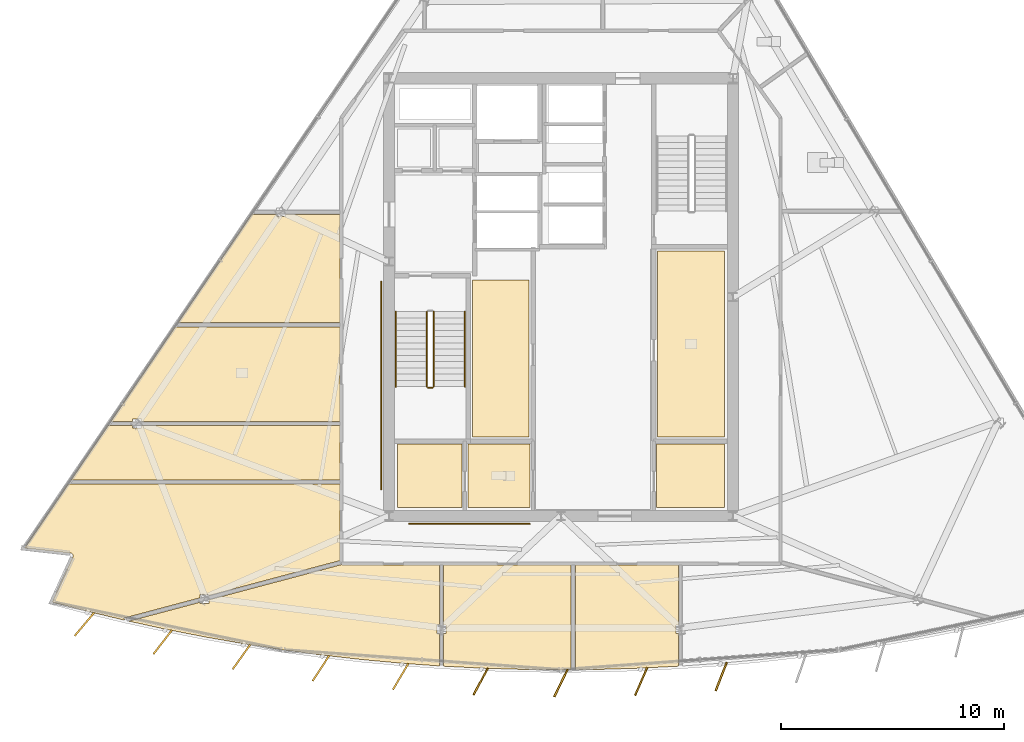
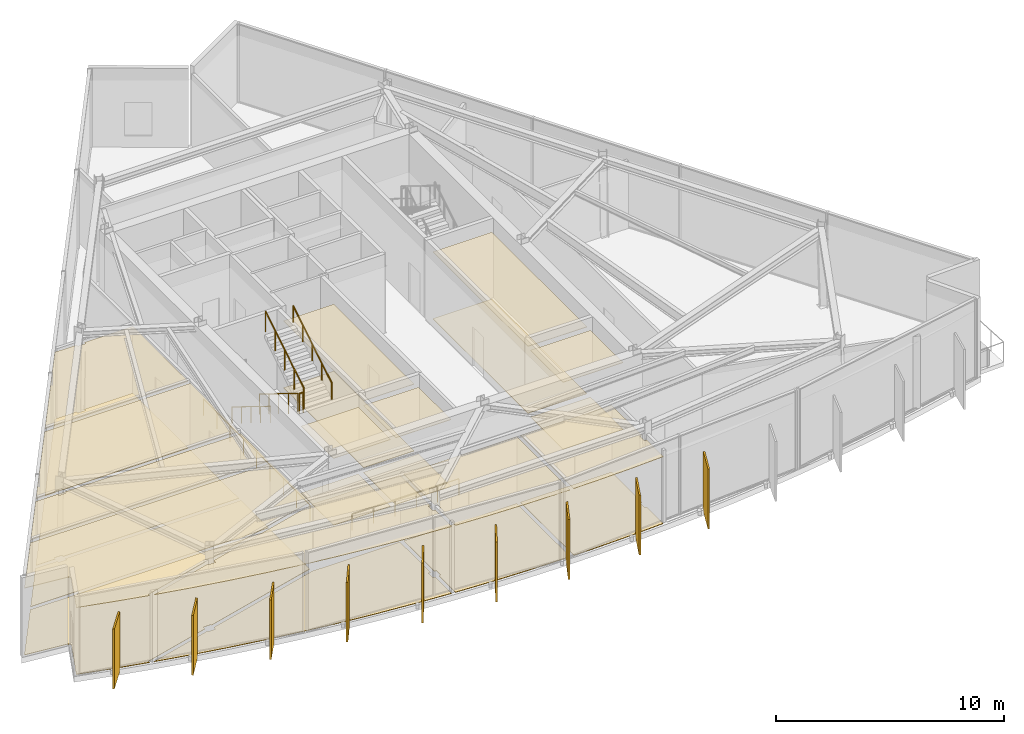
# One storey, part 9 of 12: 24 coverings, 9 shading devices, 7 railings.
"""IFC4 building model written with IfcOpenShell, lengths in metres."""

import ifcopenshell
import ifcopenshell.guid

model = None  # the IFC model being written
_history = None  # IfcOwnerHistory: only IFC2X3 demands one
_inside = {}  # id of a spatial element -> (the spatial element, [elements in it])
_under = {}  # id of a project, library or spatial element -> (it, [spatial elements below it])
_declared = {}  # id of a project -> (the project, [libraries it declares])
_typed = {}  # id of a type object -> (the type object, [elements of that type])
_made_of = {}  # id of a material, layer set ... -> (it, [elements and type objects made of it])


def new_model(schema):
    """Start an empty IFC model of exactly this schema.

    Asked for "IFC4X3", IfcOpenShell would pick the latest addendum, in which some entities
    have other attributes; the version numbers below select the first issue.
    IFC2X3 requires an IfcOwnerHistory on every rooted entity: one is made here for all.
    """
    global model, _history
    if schema == "IFC4X3":
        model = ifcopenshell.file(schema_version=(4, 3, 0, 0))
    else:
        model = ifcopenshell.file(schema=schema)
    _inside.clear()
    _under.clear()
    _declared.clear()
    _typed.clear()
    _made_of.clear()
    _history = None
    if model.schema == "IFC2X3":
        org = make("IfcOrganization", Name="unknown")
        user = make(
            "IfcPersonAndOrganization",
            ThePerson=make("IfcPerson", FamilyName="unknown"),
            TheOrganization=org,
        )
        app = make(
            "IfcApplication",
            ApplicationDeveloper=org,
            Version="unknown",
            ApplicationFullName="unknown",
            ApplicationIdentifier="unknown",
        )
        _history = make(
            "IfcOwnerHistory",
            OwningUser=user,
            OwningApplication=app,
            ChangeAction="ADDED",
            CreationDate=0,
        )
    return model


def make(cls, **values):
    """One entity of the class cls with the attributes given. An attribute that is None is left unset."""
    return model.create_entity(
        cls, **{name: value for name, value in values.items() if value is not None}
    )


def rooted(cls, **values):
    """An entity with a GlobalId (a new one), such as an element, a storey or a relation."""
    return make(cls, GlobalId=ifcopenshell.guid.new(), OwnerHistory=_history, **values)


def si_unit(unit_type, name, prefix=None):
    """IfcSIUnit, for example si_unit("LENGTHUNIT", "METRE", prefix="MILLI")."""
    return make("IfcSIUnit", UnitType=unit_type, Prefix=prefix, Name=name)


def assignment(units):
    """IfcUnitAssignment: the units of a project."""
    return None if units is None else make("IfcUnitAssignment", Units=units)


def point(xyz):
    """IfcCartesianPoint."""
    return None if xyz is None else make("IfcCartesianPoint", Coordinates=xyz)


def direction(xyz):
    """IfcDirection."""
    return None if xyz is None else make("IfcDirection", DirectionRatios=xyz)


def frame(location, z_axis=None, x_axis=None):
    """IfcAxis2Placement3D, a coordinate frame: its origin and axes. An axis left out is left unset."""
    return make(
        "IfcAxis2Placement3D",
        Location=point(location),
        Axis=direction(z_axis),
        RefDirection=direction(x_axis),
    )


def frame_2d(location, x_axis=None):
    """IfcAxis2Placement2D, a coordinate frame in the plane: its origin and x axis."""
    return make(
        "IfcAxis2Placement2D", Location=point(location), RefDirection=direction(x_axis)
    )


def origin():
    """The frame at (0, 0, 0) with its axes left unset."""
    return frame((0.0, 0.0, 0.0))


def origin_2d():
    """The frame at (0, 0) in the plane with its x axis left unset."""
    return frame_2d((0.0, 0.0))


def place(relative_to, where):
    """IfcLocalPlacement: puts the frame where relative to a parent placement (None: the world)."""
    return make(
        "IfcLocalPlacement", PlacementRelTo=relative_to, RelativePlacement=where
    )


def context(
    kind, dimensions, precision=None, world=None, true_north=None, identifier=None
):
    """IfcGeometricRepresentationContext, for example the 3D "Model" context."""
    return make(
        "IfcGeometricRepresentationContext",
        ContextIdentifier=identifier,
        ContextType=kind,
        CoordinateSpaceDimension=dimensions,
        Precision=precision,
        WorldCoordinateSystem=world,
        TrueNorth=true_north,
    )


def subcontext(parent, identifier, kind, view, scale=None):
    """IfcGeometricRepresentationSubContext, for example "Body" below "Model"."""
    return make(
        "IfcGeometricRepresentationSubContext",
        ContextIdentifier=identifier,
        ContextType=kind,
        ParentContext=parent,
        TargetScale=scale,
        TargetView=view,
    )


def project(units=None, contexts=None):
    """IfcProject with its units and contexts."""
    return rooted(
        "IfcProject",
        Name="project",
        RepresentationContexts=contexts,
        UnitsInContext=assignment(units),
    )


def spatial(cls, under=None, at=None, **own):
    """A site, building, storey or space (cls), placed at a placement, below another one or the project."""
    s = rooted(cls, ObjectPlacement=at, **own)
    if under is not None:
        _under.setdefault(under.id(), (under, []))[1].append(s)
    return s


def polyline(points):
    """IfcPolyline through the points."""
    return make("IfcPolyline", Points=[point(p) for p in points])


def profile(cls, at=None, kind="AREA", **sizes):
    """A parametric profile (cls). Its sizes go by their IFC names, for example OverallWidth=200.0."""
    return make(cls, ProfileType=kind, Position=at, **sizes)


def rectangle(**sizes):
    """IfcRectangleProfileDef."""
    return profile("IfcRectangleProfileDef", **sizes)


def circle(**sizes):
    """IfcCircleProfileDef."""
    return profile("IfcCircleProfileDef", **sizes)


def outline(outer, holes=None, kind="AREA"):
    """IfcArbitraryClosedProfileDef: a profile drawn as a closed curve; with holes, ...WithVoids."""
    if holes is None:
        return make("IfcArbitraryClosedProfileDef", ProfileType=kind, OuterCurve=outer)
    return make(
        "IfcArbitraryProfileDefWithVoids",
        ProfileType=kind,
        OuterCurve=outer,
        InnerCurves=holes,
    )


def extrude(swept, where, along, depth):
    """IfcExtrudedAreaSolid: the profile swept, set in the frame where, extruded along a direction by depth."""
    return make(
        "IfcExtrudedAreaSolid",
        SweptArea=swept,
        Position=where,
        ExtrudedDirection=direction(along),
        Depth=depth,
    )


def shape(context_of_items, identifier, shape_type, items):
    """IfcShapeRepresentation: the items that make up one representation, for example the "Body"."""
    return make(
        "IfcShapeRepresentation",
        ContextOfItems=context_of_items,
        RepresentationIdentifier=identifier,
        RepresentationType=shape_type,
        Items=items,
    )


def material(Name=None, Category=None):
    """IfcMaterial."""
    return make("IfcMaterial", Name=Name, Category=Category)


def layer(
    of_material, thickness, ventilated=None, Name=None, Category=None, Priority=None
):
    """IfcMaterialLayer: one layer of a wall or slab, of a material (None: an air gap)."""
    return make(
        "IfcMaterialLayer",
        Material=of_material,
        LayerThickness=thickness,
        IsVentilated=ventilated,
        Name=Name,
        Category=Category,
        Priority=Priority,
    )


def layer_set(layers, Name=None):
    """IfcMaterialLayerSet."""
    return make("IfcMaterialLayerSet", MaterialLayers=layers, LayerSetName=Name)


def made_of(thing, what):
    """Note that an element or type object is made of a material, layer set ...; save() writes the relation."""
    if what is not None:
        _made_of.setdefault(what.id(), (what, []))[1].append(thing)
    return thing


def type_object(cls, material=None, **own):
    """A type object (cls), such as IfcWallType, which elements share."""
    return made_of(rooted(cls, **own), material)


def element(
    cls,
    number,
    at=None,
    inside=None,
    cuts=None,
    type_object=None,
    material=None,
    context=None,
    identifier="Body",
    shape_type=None,
    held_by="IfcProductDefinitionShape",
    body=None,
    shapes=None,
    **own,
):
    """One element of the class cls, such as IfcWall. Its Tag is "e" and its number.

    at: its placement. inside: the storey or other place that contains it. cuts: it is an
    opening in that element (IfcRelVoidsElement). A single representation is given by context,
    identifier, shape_type and body (its items); several are given by shapes. held_by: the class
    of the entity that holds the representations. save() writes the other relations.
    """
    e = rooted(cls, Tag="e%d" % number, ObjectPlacement=at, **own)
    if body is not None:
        shapes = [shape(context, identifier, shape_type, body)]
    if shapes is not None:
        e.Representation = make(held_by, Representations=shapes)
    if inside is not None:
        _inside.setdefault(inside.id(), (inside, []))[1].append(e)
    if cuts is not None:
        rooted(
            "IfcRelVoidsElement", RelatingBuildingElement=cuts, RelatedOpeningElement=e
        )
    if type_object is not None:
        _typed.setdefault(type_object.id(), (type_object, []))[1].append(e)
    return made_of(e, material)


def aggregate(whole, parts):
    """IfcRelAggregates: a whole, such as a stair, and the parts it consists of."""
    return rooted("IfcRelAggregates", RelatingObject=whole, RelatedObjects=parts)


def save(model, path):
    """Write the relations noted so far, then the file.

    IfcRelAggregates (storeys below a building ...), IfcRelContainedInSpatialStructure (elements
    in a storey), IfcRelDefinesByType, IfcRelAssociatesMaterial and IfcRelDeclares: one each for
    every whole, place, type object, material and project.
    """
    for whole, parts in _under.values():
        aggregate(whole, parts)
    for where, things in _inside.values():
        rooted(
            "IfcRelContainedInSpatialStructure",
            RelatedElements=things,
            RelatingStructure=where,
        )
    for kind, things in _typed.values():
        rooted("IfcRelDefinesByType", RelatedObjects=things, RelatingType=kind)
    for what, things in _made_of.values():
        rooted("IfcRelAssociatesMaterial", RelatedObjects=things, RelatingMaterial=what)
    for by, libraries in _declared.values():
        rooted("IfcRelDeclares", RelatingContext=by, RelatedDefinitions=libraries)
    model.write(path)


model = new_model("IFC4")

# Units and contexts
model_context = context("Model", 3, precision=1e-05, world=origin(), true_north=direction((0.0, 1.0)))
body_context = subcontext(model_context, "Body", "Model", "MODEL_VIEW")
ifc_project = project(units=[si_unit("LENGTHUNIT", "METRE"), si_unit("AREAUNIT", "SQUARE_METRE"), si_unit("VOLUMEUNIT", "CUBIC_METRE"), si_unit("PLANEANGLEUNIT", "RADIAN"), si_unit("MASSUNIT", "GRAM", prefix="KILO")], contexts=[model_context])

# Site, building, storey
site_placement = place(None, origin())
site = spatial("IfcSite", under=ifc_project, at=site_placement, CompositionType="ELEMENT")
building_placement = place(site_placement, origin())
building = spatial("IfcBuilding", under=site, at=building_placement, Name="Savorim Split Tower", CompositionType="ELEMENT")
storey_placement = place(building_placement, frame((0.0, 0.0, 246.300048828125)))
storey = spatial("IfcBuildingStorey", under=building, at=storey_placement, Name="L65", CompositionType="ELEMENT", Elevation=246.300048828125)

# Coverings
ifc_material_1 = material(Name="Mineral Fibre Acoustic Ceiling")
ifc_layer_1 = layer(ifc_material_1, 0.02490234375)
ifc_layer_set_1 = layer_set([ifc_layer_1], Name="COV-CEIL-25")
covering_type_1 = type_object("IfcCoveringType", Name="COV-CEIL-25", PredefinedType="CEILING", material=ifc_layer_set_1)
covering_1_placement = place(storey_placement, frame((0.0, 0.0, 3.570068359375)))
element("IfcCovering", 1, at=covering_1_placement, inside=storey, type_object=covering_type_1, Name="L65 Community Laundry Room Acoustic Ceiling", PredefinedType="CEILING", context=body_context, shape_type="SweptSolid", body=[
    extrude(outline(polyline([(4.330078125, 2.469970703125), (4.330078125, -5.8701171875), (7.320068359375, -5.8701171875), (7.320068359375, 2.469970703125), (4.330078125, 2.469970703125)])), origin(), (0.0, 0.0, 1.0), 0.02490234375),
])
covering_2_placement = place(storey_placement, frame((0.0, 0.0, 3.570068359375)))
element("IfcCovering", 2, at=covering_2_placement, inside=storey, type_object=covering_type_1, Name="L65 Quiet Study Room Acoustic Ceiling", PredefinedType="CEILING", context=body_context, shape_type="SweptSolid", body=[
    extrude(outline(polyline([(-3.969970703125, 1.169921875), (-3.969970703125, -5.8701171875), (-1.429931640625, -5.8701171875), (-1.429931640625, 1.169921875), (-3.969970703125, 1.169921875)])), origin(), (0.0, 0.0, 1.0), 0.02490234375),
])
covering_3_placement = place(storey_placement, frame((0.0, 0.0, 3.570068359375)))
element("IfcCovering", 3, at=covering_3_placement, inside=storey, type_object=covering_type_1, Name="L65 Housekeeping Store Acoustic Ceiling", PredefinedType="CEILING", context=body_context, shape_type="SweptSolid", body=[
    extrude(outline(polyline([(-7.320068359375, -6.179931640625), (-7.320068359375, -9.02001953125), (-4.429931640625, -9.02001953125), (-4.429931640625, -6.179931640625), (-7.320068359375, -6.179931640625)])), origin(), (0.0, 0.0, 1.0), 0.02490234375),
])
covering_4_placement = place(storey_placement, frame((0.0, 0.0, 3.570068359375)))
element("IfcCovering", 4, at=covering_4_placement, inside=storey, type_object=covering_type_1, Name="L65 Accessible WC Acoustic Ceiling", PredefinedType="CEILING", context=body_context, shape_type="SweptSolid", body=[
    extrude(outline(polyline([(-4.169921875, -6.179931640625), (-4.169921875, -9.02001953125), (-1.3798828125, -9.02001953125), (-1.3798828125, -6.179931640625), (-4.169921875, -6.179931640625)])), origin(), (0.0, 0.0, 1.0), 0.02490234375),
])
covering_5_placement = place(storey_placement, frame((0.0, 0.0, 3.570068359375)))
element("IfcCovering", 5, at=covering_5_placement, inside=storey, type_object=covering_type_1, Name="L65 Core IT Server Room Acoustic Ceiling", PredefinedType="CEILING", context=body_context, shape_type="SweptSolid", body=[
    extrude(outline(polyline([(4.280029296875, -6.179931640625), (4.280029296875, -9.02001953125), (7.320068359375, -9.02001953125), (7.320068359375, -6.179931640625), (4.280029296875, -6.179931640625)])), origin(), (0.0, 0.0, 1.0), 0.02490234375),
])
covering_6_placement = place(storey_placement, frame((0.0, 0.0, 3.570068359375)))
element("IfcCovering", 6, at=covering_6_placement, inside=storey, type_object=covering_type_1, Name="L65 Communal Kitchen Acoustic Ceiling", PredefinedType="CEILING", context=body_context, shape_type="SweptSolid", body=[
    extrude(outline(polyline([(-18.778564453125, -5.065185546875), (-18.778564453125, -5.166015625), (-9.889892578125, -5.166015625), (-9.889892578125, -0.926513671875), (-17.271240234375, -0.9267578125), (-20.1552734375, -5.166015625), (-19.172607421875, -5.166015625), (-19.172607421875, -5.065185546875), (-18.778564453125, -5.065185546875)])), origin(), (0.0, 0.0, 1.0), 0.02490234375),
])
covering_7_placement = place(storey_placement, frame((0.0, 0.0, 3.570068359375)))
element("IfcCovering", 7, at=covering_7_placement, inside=storey, type_object=covering_type_1, Name="L65 Quiet Study Room Acoustic Ceiling", PredefinedType="CEILING", context=body_context, shape_type="SweptSolid", body=[
    extrude(outline(polyline([(-20.159423828125, -5.356201171875), (-20.25439453125, -5.356201171875), (-20.25439453125, -5.311767578125), (-21.932373046875, -7.7783203125), (-9.889892578125, -7.7783203125), (-9.889892578125, -5.356201171875), (-18.778564453125, -5.356201171875), (-18.778564453125, -5.45703125), (-19.172607421875, -5.45703125), (-19.172607421875, -5.356201171875), (-20.159423828125, -5.356201171875)])), origin(), (0.0, 0.0, 1.0), 0.02490234375),
])
covering_8_placement = place(storey_placement, frame((0.0, 0.0, 3.570068359375)))
element("IfcCovering", 8, at=covering_8_placement, inside=storey, type_object=covering_type_1, Name="L65 Co-Working Commons Acoustic Ceiling", PredefinedType="CEILING", context=body_context, shape_type="SweptSolid", body=[
    extrude(outline(polyline([(-21.83837890625, -11.18408203125), (-21.839111328125, -11.196044921875), (-21.84130859375, -11.2080078125), (-21.8447265625, -11.21923828125), (-21.84912109375, -11.23046875), (-22.7783203125, -13.2529296875), (-21.18994140625, -13.668212890625), (-19.535400390625, -14.065185546875), (-19.561279296875, -13.968017578125), (-16.16162109375, -13.06298828125), (-16.16162109375, -12.9130859375), (-15.767578125, -12.9130859375), (-15.767578125, -12.958251953125), (-9.908203125, -11.398681640625), (-9.889892578125, -11.39404296875), (-9.889892578125, -7.96826171875), (-22.0615234375, -7.96826171875), (-24.0087890625, -10.83056640625), (-21.94482421875, -11.06103515625), (-21.93310546875, -11.06298828125), (-21.921630859375, -11.06591796875), (-21.910400390625, -11.0703125), (-21.899658203125, -11.075439453125), (-21.8896484375, -11.081787109375), (-21.880126953125, -11.089111328125), (-21.87158203125, -11.097412109375), (-21.86376953125, -11.1064453125), (-21.856689453125, -11.1162109375), (-21.850830078125, -11.12646484375), (-21.84619140625, -11.137451171875), (-21.84228515625, -11.148681640625), (-21.83984375, -11.160400390625), (-21.83837890625, -11.17236328125), (-21.83837890625, -11.18408203125)])), origin(), (0.0, 0.0, 1.0), 0.02490234375),
])
covering_9_placement = place(storey_placement, frame((0.0, 0.0, 3.570068359375)))
element("IfcCovering", 9, at=covering_9_placement, inside=storey, type_object=covering_type_1, Name="L65 Communal Lounge Acoustic Ceiling", PredefinedType="CEILING", context=body_context, shape_type="SweptSolid", body=[
    extrude(outline(polyline([(-12.443359375, -15.390380859375), (-10.67529296875, -15.626953125), (-8.90283203125, -15.827392578125), (-7.126953125, -15.991455078125), (-5.445556640625, -16.112060546875), (-5.445556640625, -14.667724609375), (-5.547607421875, -14.667724609375), (-5.547607421875, -14.275634765625), (-5.445556640625, -14.275634765625), (-5.445556640625, -11.590087890625), (-9.75, -11.590087890625), (-9.763671875, -11.58935546875), (-9.77734375, -11.58740234375), (-9.79052734375, -11.583984375), (-9.8037109375, -11.579345703125), (-9.81591796875, -11.573486328125), (-9.819091796875, -11.57177734375), (-15.767578125, -13.15478515625), (-15.767578125, -13.304931640625), (-16.16162109375, -13.304931640625), (-16.16162109375, -13.259765625), (-19.347900390625, -14.107666015625), (-17.712890625, -14.464599609375), (-15.962646484375, -14.80908203125), (-14.2060546875, -15.117919921875), (-12.443359375, -15.390380859375)])), origin(), (0.0, 0.0, 1.0), 0.02490234375),
])
covering_10_placement = place(storey_placement, frame((0.0, 0.0, 3.570068359375)))
element("IfcCovering", 10, at=covering_10_placement, inside=storey, type_object=covering_type_1, Name="L65 Co-Working Commons Acoustic Ceiling", PredefinedType="CEILING", context=body_context, shape_type="SweptSolid", body=[
    extrude(outline(polyline([(-3.56640625, -16.210205078125), (-1.783447265625, -16.264892578125), (0.0, -16.283203125), (0.455078125, -16.278564453125), (0.455078125, -11.590087890625), (-5.255615234375, -11.590087890625), (-5.255615234375, -14.275634765625), (-5.153564453125, -14.275634765625), (-5.153564453125, -14.667724609375), (-5.255615234375, -14.667724609375), (-5.255615234375, -16.068603515625), (-5.255615234375, -16.123779296875), (-3.56640625, -16.210205078125)])), origin(), (0.0, 0.0, 1.0), 0.02490234375),
])
covering_11_placement = place(storey_placement, frame((0.0, 0.0, 3.570068359375)))
element("IfcCovering", 11, at=covering_11_placement, inside=storey, type_object=covering_type_1, Name="L65 Sky Lobby Acoustic Ceiling", PredefinedType="CEILING", context=body_context, shape_type="SweptSolid", body=[
    extrude(outline(polyline([(0.64501953125, -11.590087890625), (0.64501953125, -16.276611328125), (1.783447265625, -16.264892578125), (3.56640625, -16.210205078125), (5.255615234375, -16.123779296875), (5.255615234375, -14.667724609375), (5.153564453125, -14.667724609375), (5.153564453125, -14.275634765625), (5.255615234375, -14.275634765625), (5.255615234375, -11.590087890625), (0.64501953125, -11.590087890625)])), origin(), (0.0, 0.0, 1.0), 0.02490234375),
])
covering_12_placement = place(storey_placement, frame((0.0, 0.0, 3.570068359375)))
element("IfcCovering", 12, at=covering_12_placement, inside=storey, type_object=covering_type_1, Name="L65 Quiet Study Room Acoustic Ceiling", PredefinedType="CEILING", context=body_context, shape_type="SweptSolid", body=[
    extrude(outline(polyline([(-12.73779296875, 4.102783203125), (-13.724609375, 4.102783203125), (-13.819580078125, 4.102783203125), (-13.819580078125, 4.14697265625), (-17.14208984375, -0.73681640625), (-9.889892578125, -0.736572265625), (-9.889892578125, 4.102783203125), (-12.343994140625, 4.102783203125), (-12.343994140625, 4.001708984375), (-12.73779296875, 4.001708984375), (-12.73779296875, 4.102783203125)])), origin(), (0.0, 0.0, 1.0), 0.02490234375),
])
ifc_material_2 = material(Name="Porcelain Stoneware Flooring", Category="masonry")
ifc_layer_2 = layer(ifc_material_2, 0.02001953125)
ifc_layer_set_2 = layer_set([ifc_layer_2], Name="COV-FLOR-20")
covering_type_2 = type_object("IfcCoveringType", Name="COV-FLOR-20", PredefinedType="FLOORING", material=ifc_layer_set_2)
covering_13_placement = place(storey_placement, origin())
element("IfcCovering", 13, at=covering_13_placement, inside=storey, type_object=covering_type_2, Name="L65 Community Laundry Room Porcelain Flooring", PredefinedType="FLOORING", context=body_context, shape_type="SweptSolid", body=[
    extrude(outline(polyline([(4.330078125, 2.469970703125), (4.330078125, -5.8701171875), (7.320068359375, -5.8701171875), (7.320068359375, 2.469970703125), (4.330078125, 2.469970703125)])), origin(), (0.0, 0.0, 1.0), 0.02001953125),
])
covering_14_placement = place(storey_placement, origin())
element("IfcCovering", 14, at=covering_14_placement, inside=storey, type_object=covering_type_2, Name="L65 Quiet Study Room Porcelain Flooring", PredefinedType="FLOORING", context=body_context, shape_type="SweptSolid", body=[
    extrude(outline(polyline([(-3.969970703125, 1.169921875), (-3.969970703125, -5.8701171875), (-1.429931640625, -5.8701171875), (-1.429931640625, 1.169921875), (-3.969970703125, 1.169921875)])), origin(), (0.0, 0.0, 1.0), 0.02001953125),
])
covering_15_placement = place(storey_placement, origin())
element("IfcCovering", 15, at=covering_15_placement, inside=storey, type_object=covering_type_2, Name="L65 Housekeeping Store Porcelain Flooring", PredefinedType="FLOORING", context=body_context, shape_type="SweptSolid", body=[
    extrude(outline(polyline([(-7.320068359375, -6.179931640625), (-7.320068359375, -9.02001953125), (-4.429931640625, -9.02001953125), (-4.429931640625, -6.179931640625), (-7.320068359375, -6.179931640625)])), origin(), (0.0, 0.0, 1.0), 0.02001953125),
])
covering_16_placement = place(storey_placement, origin())
element("IfcCovering", 16, at=covering_16_placement, inside=storey, type_object=covering_type_2, Name="L65 Accessible WC Porcelain Flooring", PredefinedType="FLOORING", context=body_context, shape_type="SweptSolid", body=[
    extrude(outline(polyline([(-4.169921875, -6.179931640625), (-4.169921875, -9.02001953125), (-1.3798828125, -9.02001953125), (-1.3798828125, -6.179931640625), (-4.169921875, -6.179931640625)])), origin(), (0.0, 0.0, 1.0), 0.02001953125),
])
covering_17_placement = place(storey_placement, origin())
element("IfcCovering", 17, at=covering_17_placement, inside=storey, type_object=covering_type_2, Name="L65 Core IT Server Room Porcelain Flooring", PredefinedType="FLOORING", context=body_context, shape_type="SweptSolid", body=[
    extrude(outline(polyline([(4.280029296875, -6.179931640625), (4.280029296875, -9.02001953125), (7.320068359375, -9.02001953125), (7.320068359375, -6.179931640625), (4.280029296875, -6.179931640625)])), origin(), (0.0, 0.0, 1.0), 0.02001953125),
])
covering_18_placement = place(storey_placement, origin())
element("IfcCovering", 18, at=covering_18_placement, inside=storey, type_object=covering_type_2, Name="L65 Communal Kitchen Porcelain Flooring", PredefinedType="FLOORING", context=body_context, shape_type="SweptSolid", body=[
    extrude(outline(polyline([(-18.778564453125, -5.065185546875), (-18.778564453125, -5.166015625), (-9.889892578125, -5.166015625), (-9.889892578125, -0.926513671875), (-17.271240234375, -0.9267578125), (-20.1552734375, -5.166015625), (-19.172607421875, -5.166015625), (-19.172607421875, -5.065185546875), (-18.778564453125, -5.065185546875)])), origin(), (0.0, 0.0, 1.0), 0.02001953125),
])
covering_19_placement = place(storey_placement, origin())
element("IfcCovering", 19, at=covering_19_placement, inside=storey, type_object=covering_type_2, Name="L65 Quiet Study Room Porcelain Flooring", PredefinedType="FLOORING", context=body_context, shape_type="SweptSolid", body=[
    extrude(outline(polyline([(-20.159423828125, -5.356201171875), (-20.25439453125, -5.356201171875), (-20.25439453125, -5.311767578125), (-21.932373046875, -7.7783203125), (-9.889892578125, -7.7783203125), (-9.889892578125, -5.356201171875), (-18.778564453125, -5.356201171875), (-18.778564453125, -5.45703125), (-19.172607421875, -5.45703125), (-19.172607421875, -5.356201171875), (-20.159423828125, -5.356201171875)])), origin(), (0.0, 0.0, 1.0), 0.02001953125),
])
covering_20_placement = place(storey_placement, origin())
element("IfcCovering", 20, at=covering_20_placement, inside=storey, type_object=covering_type_2, Name="L65 Co-Working Commons Porcelain Flooring", PredefinedType="FLOORING", context=body_context, shape_type="SweptSolid", body=[
    extrude(outline(polyline([(-21.83837890625, -11.18408203125), (-21.839111328125, -11.196044921875), (-21.84130859375, -11.2080078125), (-21.8447265625, -11.21923828125), (-21.84912109375, -11.23046875), (-22.7783203125, -13.2529296875), (-21.18994140625, -13.668212890625), (-19.535400390625, -14.065185546875), (-19.561279296875, -13.968017578125), (-16.16162109375, -13.06298828125), (-16.16162109375, -12.9130859375), (-15.767578125, -12.9130859375), (-15.767578125, -12.958251953125), (-9.908203125, -11.398681640625), (-9.889892578125, -11.39404296875), (-9.889892578125, -7.96826171875), (-22.0615234375, -7.96826171875), (-24.0087890625, -10.83056640625), (-21.94482421875, -11.06103515625), (-21.93310546875, -11.06298828125), (-21.921630859375, -11.06591796875), (-21.910400390625, -11.0703125), (-21.899658203125, -11.075439453125), (-21.8896484375, -11.081787109375), (-21.880126953125, -11.089111328125), (-21.87158203125, -11.097412109375), (-21.86376953125, -11.1064453125), (-21.856689453125, -11.1162109375), (-21.850830078125, -11.12646484375), (-21.84619140625, -11.137451171875), (-21.84228515625, -11.148681640625), (-21.83984375, -11.160400390625), (-21.83837890625, -11.17236328125), (-21.83837890625, -11.18408203125)])), origin(), (0.0, 0.0, 1.0), 0.02001953125),
])
covering_21_placement = place(storey_placement, origin())
element("IfcCovering", 21, at=covering_21_placement, inside=storey, type_object=covering_type_2, Name="L65 Communal Lounge Porcelain Flooring", PredefinedType="FLOORING", context=body_context, shape_type="SweptSolid", body=[
    extrude(outline(polyline([(-12.443359375, -15.390380859375), (-10.67529296875, -15.626953125), (-8.90283203125, -15.827392578125), (-7.126953125, -15.991455078125), (-5.445556640625, -16.112060546875), (-5.445556640625, -14.667724609375), (-5.547607421875, -14.667724609375), (-5.547607421875, -14.275634765625), (-5.445556640625, -14.275634765625), (-5.445556640625, -11.590087890625), (-9.75, -11.590087890625), (-9.763671875, -11.58935546875), (-9.77734375, -11.58740234375), (-9.79052734375, -11.583984375), (-9.8037109375, -11.579345703125), (-9.81591796875, -11.573486328125), (-9.819091796875, -11.57177734375), (-15.767578125, -13.15478515625), (-15.767578125, -13.304931640625), (-16.16162109375, -13.304931640625), (-16.16162109375, -13.259765625), (-19.347900390625, -14.107666015625), (-17.712890625, -14.464599609375), (-15.962646484375, -14.80908203125), (-14.2060546875, -15.117919921875), (-12.443359375, -15.390380859375)])), origin(), (0.0, 0.0, 1.0), 0.02001953125),
])
covering_22_placement = place(storey_placement, origin())
element("IfcCovering", 22, at=covering_22_placement, inside=storey, type_object=covering_type_2, Name="L65 Co-Working Commons Porcelain Flooring", PredefinedType="FLOORING", context=body_context, shape_type="SweptSolid", body=[
    extrude(outline(polyline([(-3.56640625, -16.210205078125), (-1.783447265625, -16.264892578125), (0.0, -16.283203125), (0.455078125, -16.278564453125), (0.455078125, -11.590087890625), (-5.255615234375, -11.590087890625), (-5.255615234375, -14.275634765625), (-5.153564453125, -14.275634765625), (-5.153564453125, -14.667724609375), (-5.255615234375, -14.667724609375), (-5.255615234375, -16.068603515625), (-5.255615234375, -16.123779296875), (-3.56640625, -16.210205078125)])), origin(), (0.0, 0.0, 1.0), 0.02001953125),
])
covering_23_placement = place(storey_placement, origin())
element("IfcCovering", 23, at=covering_23_placement, inside=storey, type_object=covering_type_2, Name="L65 Sky Lobby Porcelain Flooring", PredefinedType="FLOORING", context=body_context, shape_type="SweptSolid", body=[
    extrude(outline(polyline([(0.64501953125, -11.590087890625), (0.64501953125, -16.276611328125), (1.783447265625, -16.264892578125), (3.56640625, -16.210205078125), (5.255615234375, -16.123779296875), (5.255615234375, -14.667724609375), (5.153564453125, -14.667724609375), (5.153564453125, -14.275634765625), (5.255615234375, -14.275634765625), (5.255615234375, -11.590087890625), (0.64501953125, -11.590087890625)])), origin(), (0.0, 0.0, 1.0), 0.02001953125),
])
covering_24_placement = place(storey_placement, origin())
element("IfcCovering", 24, at=covering_24_placement, inside=storey, type_object=covering_type_2, Name="L65 Quiet Study Room Porcelain Flooring", PredefinedType="FLOORING", context=body_context, shape_type="SweptSolid", body=[
    extrude(outline(polyline([(-12.73779296875, 4.102783203125), (-13.724609375, 4.102783203125), (-13.819580078125, 4.102783203125), (-13.819580078125, 4.14697265625), (-17.14208984375, -0.73681640625), (-9.889892578125, -0.736572265625), (-9.889892578125, 4.102783203125), (-12.343994140625, 4.102783203125), (-12.343994140625, 4.001708984375), (-12.73779296875, 4.001708984375), (-12.73779296875, 4.102783203125)])), origin(), (0.0, 0.0, 1.0), 0.02001953125),
])

# Railings
ifc_material_3 = material(Name="Galvanised Painted Steel Balustrade", Category="steel")
railing_type_1 = type_object("IfcRailingType", Name="RLG-HR-900", PredefinedType="HANDRAIL", material=ifc_material_3)
railing_1_placement = place(storey_placement, frame((-7.39990234375, -0.25, 0.173095703125)))
element("IfcRailing", 25, at=railing_1_placement, inside=storey, type_object=railing_type_1, Name="L65 ST-1 stair handrail 1", PredefinedType="HANDRAIL", context=body_context, shape_type="SweptSolid", body=[
    extrude(circle(Radius=0.02392578125, at=origin_2d()), frame((0.0, 0.0, 0.8759765625), z_axis=(0.0, -0.850623216509, 0.525775754039), x_axis=(1.0, 0.0, 0.0)), (0.0, 0.0, 1.0), 3.9501953125),
    extrude(circle(Radius=0.02099609375, at=origin_2d()), origin(), (0.0, 0.0, 1.0), 0.851806640625),
    extrude(circle(Radius=0.02099609375, at=origin_2d()), frame((0.0, -0.840087890625, 0.519287109375)), (0.0, 0.0, 1.0), 0.851806640625),
    extrude(circle(Radius=0.02099609375, at=origin_2d()), frame((0.0, -1.68017578125, 1.03857421875)), (0.0, 0.0, 1.0), 0.851806640625),
    extrude(circle(Radius=0.02099609375, at=origin_2d()), frame((0.0, -2.52001953125, 1.5576171875)), (0.0, 0.0, 1.0), 0.851806640625),
    extrude(circle(Radius=0.02099609375, at=origin_2d()), frame((0.0, -3.360107421875, 2.076904296875)), (0.0, 0.0, 1.0), 0.851806640625),
])
railing_2_placement = place(storey_placement, frame((-4.300048828125, -3.610107421875, 2.423095703125)))
element("IfcRailing", 26, at=railing_2_placement, inside=storey, type_object=railing_type_1, Name="L65 ST-1 stair handrail 2", PredefinedType="HANDRAIL", context=body_context, shape_type="SweptSolid", body=[
    extrude(circle(Radius=0.02392578125, at=origin_2d()), frame((0.0, 0.0, 0.8759765625), z_axis=(0.0, 0.850623216509, 0.525775754039), x_axis=(-1.0, 0.0, 0.0)), (0.0, 0.0, 1.0), 3.9501953125),
    extrude(circle(Radius=0.02099609375, at=origin_2d()), origin(), (0.0, 0.0, 1.0), 0.851806640625),
    extrude(circle(Radius=0.02099609375, at=origin_2d()), frame((0.0, 0.840087890625, 0.519287109375)), (0.0, 0.0, 1.0), 0.851806640625),
    extrude(circle(Radius=0.02099609375, at=origin_2d()), frame((0.0, 1.68017578125, 1.03857421875)), (0.0, 0.0, 1.0), 0.851806640625),
    extrude(circle(Radius=0.02099609375, at=origin_2d()), frame((0.0, 2.52001953125, 1.5576171875)), (0.0, 0.0, 1.0), 0.851806640625),
    extrude(circle(Radius=0.02099609375, at=origin_2d()), frame((0.0, 3.360107421875, 2.076904296875)), (0.0, 0.0, 1.0), 0.851806640625),
])
railing_3_placement = place(storey_placement, frame((-6.800048828125, -9.75, 0.0)))
element("IfcRailing", 27, at=railing_3_placement, inside=storey, type_object=railing_type_1, Name="L65 Corridor South Accessible Handrail", PredefinedType="HANDRAIL", context=body_context, shape_type="SweptSolid", body=[
    extrude(circle(Radius=0.02392578125, at=origin_2d()), frame((0.0, 0.0, 0.8759765625), z_axis=(1.0, 0.0, 0.0), x_axis=(0.0, 1.0, 0.0)), (0.0, 0.0, 1.0), 5.400146484375),
    extrude(circle(Radius=0.02099609375, at=origin_2d()), origin(), (0.0, 0.0, 1.0), 0.851806640625),
    extrude(circle(Radius=0.02099609375, at=origin_2d()), frame((1.080078125, 0.0, 0.0)), (0.0, 0.0, 1.0), 0.851806640625),
    extrude(circle(Radius=0.02099609375, at=origin_2d()), frame((2.16015625, 0.0, 0.0)), (0.0, 0.0, 1.0), 0.851806640625),
    extrude(circle(Radius=0.02099609375, at=origin_2d()), frame((3.239990234375, 0.0, 0.0)), (0.0, 0.0, 1.0), 0.851806640625),
    extrude(circle(Radius=0.02099609375, at=origin_2d()), frame((4.320068359375, 0.0, 0.0)), (0.0, 0.0, 1.0), 0.851806640625),
    extrude(circle(Radius=0.02099609375, at=origin_2d()), frame((5.400146484375, 0.0, 0.0)), (0.0, 0.0, 1.0), 0.851806640625),
])
railing_4_placement = place(storey_placement, frame((-8.050048828125, -8.199951171875, 0.0)))
element("IfcRailing", 28, at=railing_4_placement, inside=storey, type_object=railing_type_1, Name="L65 Corridor West Accessible Handrail", PredefinedType="HANDRAIL", context=body_context, shape_type="SweptSolid", body=[
    extrude(circle(Radius=0.02392578125, at=origin_2d()), frame((0.0, 0.0, 0.8759765625), z_axis=(0.0, 1.0, 0.0), x_axis=(-1.0, 0.0, 0.0)), (0.0, 0.0, 1.0), 9.300048828125),
    extrude(circle(Radius=0.02099609375, at=origin_2d()), origin(), (0.0, 0.0, 1.0), 0.851806640625),
    extrude(circle(Radius=0.02099609375, at=origin_2d()), frame((0.0, 1.16259765625, 0.0)), (0.0, 0.0, 1.0), 0.851806640625),
    extrude(circle(Radius=0.02099609375, at=origin_2d()), frame((0.0, 2.324951171875, 0.0)), (0.0, 0.0, 1.0), 0.851806640625),
    extrude(circle(Radius=0.02099609375, at=origin_2d()), frame((0.0, 3.487548828125, 0.0)), (0.0, 0.0, 1.0), 0.851806640625),
    extrude(circle(Radius=0.02099609375, at=origin_2d()), frame((0.0, 4.64990234375, 0.0)), (0.0, 0.0, 1.0), 0.851806640625),
    extrude(circle(Radius=0.02099609375, at=origin_2d()), frame((0.0, 5.8125, 0.0)), (0.0, 0.0, 1.0), 0.851806640625),
    extrude(circle(Radius=0.02099609375, at=origin_2d()), frame((0.0, 6.97509765625, 0.0)), (0.0, 0.0, 1.0), 0.851806640625),
    extrude(circle(Radius=0.02099609375, at=origin_2d()), frame((0.0, 8.137451171875, 0.0)), (0.0, 0.0, 1.0), 0.851806640625),
    extrude(circle(Radius=0.02099609375, at=origin_2d()), frame((0.0, 9.300048828125, 0.0)), (0.0, 0.0, 1.0), 0.851806640625),
])
railing_type_2 = type_object("IfcRailingType", Name="RLG-STG-1100", PredefinedType="BALUSTRADE", material=ifc_material_3)
railing_5_placement = place(storey_placement, frame((-6.0, -0.25, 0.173095703125)))
element("IfcRailing", 29, at=railing_5_placement, inside=storey, type_object=railing_type_2, Name="L65 ST-1 stair guard 1", PredefinedType="BALUSTRADE", context=body_context, shape_type="SweptSolid", body=[
    extrude(circle(Radius=0.02392578125, at=origin_2d()), frame((0.0, 0.0, 1.076171875), z_axis=(0.0, -0.850623216509, 0.525775754039), x_axis=(1.0, 0.0, 0.0)), (0.0, 0.0, 1.0), 3.9501953125),
    extrude(circle(Radius=0.02099609375, at=origin_2d()), origin(), (0.0, 0.0, 1.0), 1.052001953125),
    extrude(circle(Radius=0.02099609375, at=origin_2d()), frame((0.0, -0.840087890625, 0.519287109375)), (0.0, 0.0, 1.0), 1.052001953125),
    extrude(circle(Radius=0.02099609375, at=origin_2d()), frame((0.0, -1.68017578125, 1.03857421875)), (0.0, 0.0, 1.0), 1.052001953125),
    extrude(circle(Radius=0.02099609375, at=origin_2d()), frame((0.0, -2.52001953125, 1.5576171875)), (0.0, 0.0, 1.0), 1.052001953125),
    extrude(circle(Radius=0.02099609375, at=origin_2d()), frame((0.0, -3.360107421875, 2.076904296875)), (0.0, 0.0, 1.0), 1.052001953125),
])
railing_6_placement = place(storey_placement, frame((-5.949951171875, -3.659912109375, 2.25)))
element("IfcRailing", 30, at=railing_6_placement, inside=storey, type_object=railing_type_2, Name="L65 ST-1 stair guard 2", PredefinedType="BALUSTRADE", context=body_context, shape_type="SweptSolid", body=[
    extrude(circle(Radius=0.02392578125, at=origin_2d()), frame((0.0, 0.0, 1.076171875), z_axis=(1.0, 0.0, 0.0), x_axis=(0.0, 1.0, 0.0)), (0.0, 0.0, 1.0), 0.199951171875),
    extrude(circle(Radius=0.02099609375, at=origin_2d()), origin(), (0.0, 0.0, 1.0), 1.052001953125),
    extrude(circle(Radius=0.02099609375, at=origin_2d()), frame((0.199951171875, 0.0, 0.0)), (0.0, 0.0, 1.0), 1.052001953125),
])
railing_7_placement = place(storey_placement, frame((-5.699951171875, -3.610107421875, 2.423095703125)))
element("IfcRailing", 31, at=railing_7_placement, inside=storey, type_object=railing_type_2, Name="L65 ST-1 stair guard 3", PredefinedType="BALUSTRADE", context=body_context, shape_type="SweptSolid", body=[
    extrude(circle(Radius=0.02392578125, at=origin_2d()), frame((0.0, 0.0, 1.076171875), z_axis=(0.0, 0.850623216509, 0.525775754039), x_axis=(-1.0, 0.0, 0.0)), (0.0, 0.0, 1.0), 3.9501953125),
    extrude(circle(Radius=0.02099609375, at=origin_2d()), origin(), (0.0, 0.0, 1.0), 1.052001953125),
    extrude(circle(Radius=0.02099609375, at=origin_2d()), frame((0.0, 0.840087890625, 0.519287109375)), (0.0, 0.0, 1.0), 1.052001953125),
    extrude(circle(Radius=0.02099609375, at=origin_2d()), frame((0.0, 1.68017578125, 1.03857421875)), (0.0, 0.0, 1.0), 1.052001953125),
    extrude(circle(Radius=0.02099609375, at=origin_2d()), frame((0.0, 2.52001953125, 1.5576171875)), (0.0, 0.0, 1.0), 1.052001953125),
    extrude(circle(Radius=0.02099609375, at=origin_2d()), frame((0.0, 3.360107421875, 2.076904296875)), (0.0, 0.0, 1.0), 1.052001953125),
])

# Shading devices
ifc_material_4 = material(Name="Terracotta Ceramic-Coated Aluminium Fin", Category="masonry")
shading_device_type = type_object("IfcShadingDeviceType", Name="SHD-FIN-1360", PredefinedType="USERDEFINED", material=ifc_material_4)
for number, where, z_axis, x_axis, name in (
    (32, (-21.3349609375, -14.246337890625, -0.2001953125), (0.0, 0.0, 1.0), (-0.643719022682, -0.765261928909, 0.0), "L65 Sawtooth Shading Fin 01"),
    (33, (-17.833984375, -15.048095703125, -0.2001953125), (0.0, 0.0, 1.0), (-0.611868076908, -0.790959832394, 0.0), "L65 Sawtooth Shading Fin 02"),
    (34, (-14.302978515625, -15.705810546875, -0.2001953125), (0.0, 0.0, 1.0), (-0.578993757737, -0.815331974414, 0.0), "L65 Sawtooth Shading Fin 03"),
    (35, (-10.748291015625, -16.218505859375, -0.2001953125), (0.0, 0.0, 1.0), (-0.545148321708, -0.838339613366, 0.0), "L65 Sawtooth Shading Fin 04"),
    (36, (-7.175537109375, -16.58544921875, -0.2001953125), (0.0, 0.0, 1.0), (-0.510391336723, -0.859942255851, 0.0), "L65 Sawtooth Shading Fin 05"),
    (37, (-3.5908203125, -16.8056640625, -0.2001953125), (0.0, 0.0, 1.0), (-0.474778051978, -0.880105562623, 0.0), "L65 Sawtooth Shading Fin 06"),
    (38, (0.0, -16.879150390625, -0.2001953125), (0.0, 0.0, 1.0), (-0.438371146789, -0.898794046299, 0.0), "L65 Sawtooth Shading Fin 07"),
    (39, (3.5908203125, -16.8056640625, -0.2001953125), (0.0, 0.0, 1.0), (-0.401230091723, -0.915977299662, 0.0), "L65 Sawtooth Shading Fin 08"),
    (40, (7.175537109375, -16.58544921875, -0.2001953125), (0.0, 0.0, 1.0), (-0.363415461732, -0.931627179817, 0.0), "L65 Sawtooth Shading Fin 09"),
):
    element("IfcShadingDevice", number, at=place(storey_placement, frame(where, z_axis=z_axis, x_axis=x_axis)), inside=storey, type_object=shading_device_type, Name=name, ObjectType="FIN", PredefinedType="USERDEFINED", context=body_context, shape_type="SweptSolid", body=[
        extrude(rectangle(XDim=1.360107421875, YDim=0.080078125, at=origin_2d()), origin(), (0.0, 0.0, 1.0), 3.199951171875),
    ])

save(model, "model.ifc")
